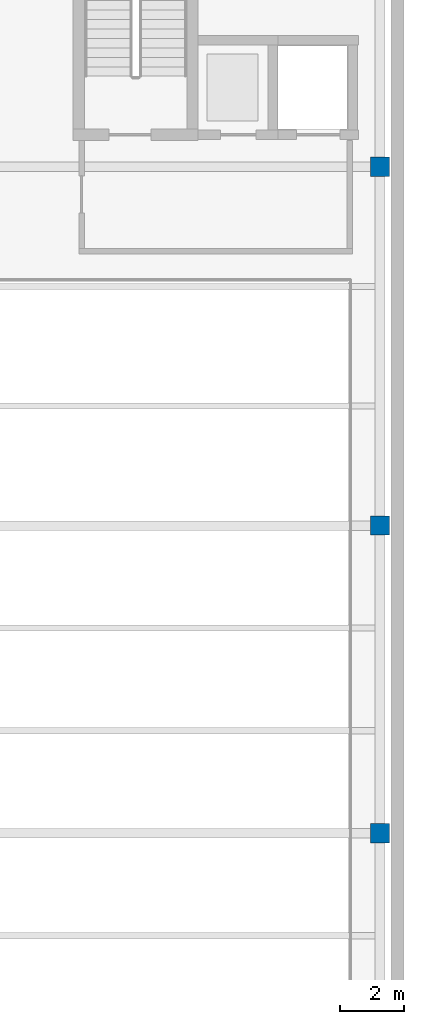
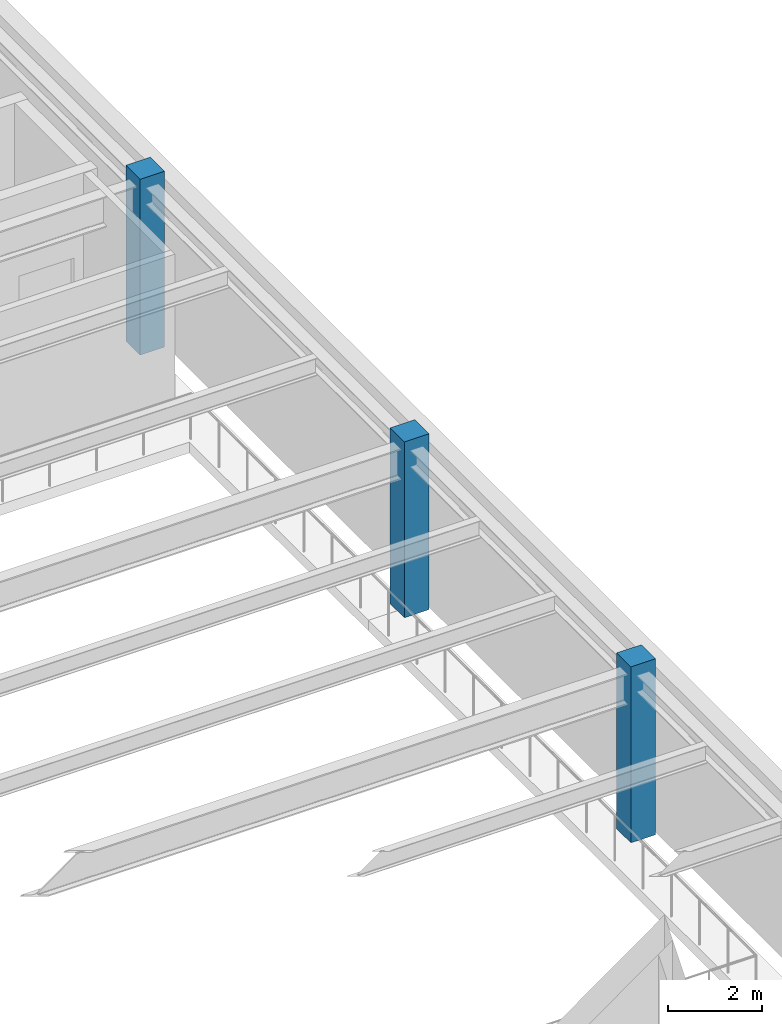
# One storey, part 8 of 32: 3 columns.
"""IFC4 building model written with IfcOpenShell, lengths in metres."""

from ifc_helpers import new_model, si_unit, direction, frame, origin, origin_2d, place, context, subcontext, project, spatial, rectangle, extrude, material, material_profile, profile_set, type_object, element, save


model = new_model("IFC4")

# Units and contexts
model_context = context("Model", 3, precision=1e-05, world=origin(), true_north=direction((0.0, 1.0)))
body_context = subcontext(model_context, "Body", "Model", "MODEL_VIEW")
ifc_project = project(units=[si_unit("LENGTHUNIT", "METRE"), si_unit("AREAUNIT", "SQUARE_METRE"), si_unit("VOLUMEUNIT", "CUBIC_METRE"), si_unit("PLANEANGLEUNIT", "RADIAN"), si_unit("MASSUNIT", "GRAM", prefix="KILO")], contexts=[model_context])

# Site, building, storey
site_placement = place(None, origin())
site = spatial("IfcSite", under=ifc_project, at=site_placement, CompositionType="ELEMENT")
building_placement = place(site_placement, origin())
building = spatial("IfcBuilding", under=site, at=building_placement, Name="Nordkorset Police Headquarters", CompositionType="ELEMENT")
storey_placement = place(building_placement, frame((0.0, 0.0, -4.550048828125)))
storey = spatial("IfcBuildingStorey", under=building, at=storey_placement, Name="B01", CompositionType="ELEMENT", Elevation=-4.550048828125)

# Columns
ifc_material = material(Name="Concrete C45/55", Category="concrete")
ifc_material_profile = material_profile(ifc_material, rectangle(XDim=0.60009765625, YDim=0.60009765625, at=origin_2d()), Name="RC 600x600")
ifc_profile_set = profile_set([ifc_material_profile], Name="Concrete C45/55")
column_type = type_object("IfcColumnType", Name="Col_RC_600x600", PredefinedType="COLUMN", material=ifc_profile_set)
for number, where, z_axis, x_axis, name in (
    (1, (115.199951171875, 67.199951171875, 0.0), (0.0, 0.0, 1.0), (1.0, 0.0, 0.0), "Structural Column V5_X2_2 B01"),
    (2, (115.199951171875, 76.800048828125, 0.0), (0.0, 0.0, 1.0), (1.0, 0.0, 0.0), "Structural Column V5_X2_3 B01"),
    (3, (115.199951171875, 88.0, 0.0), (0.0, 0.0, 1.0), (1.0, 0.0, 0.0), "Structural Column V5_X2_4 B01"),
):
    element("IfcColumn", number, at=place(storey_placement, frame(where, z_axis=z_axis, x_axis=x_axis)), inside=storey, type_object=column_type, Name=name, PredefinedType="COLUMN", context=body_context, shape_type="SweptSolid", body=[
        extrude(rectangle(XDim=0.60009765625, YDim=0.60009765625, at=origin_2d()), origin(), (0.0, 0.0, 1.0), 4.550048828125),
    ])

save(model, "model.ifc")
